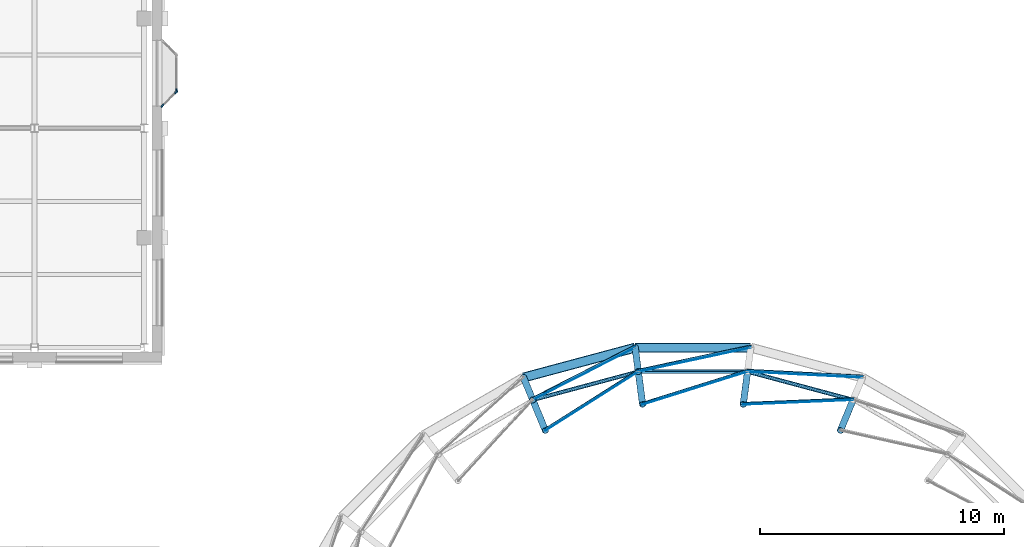
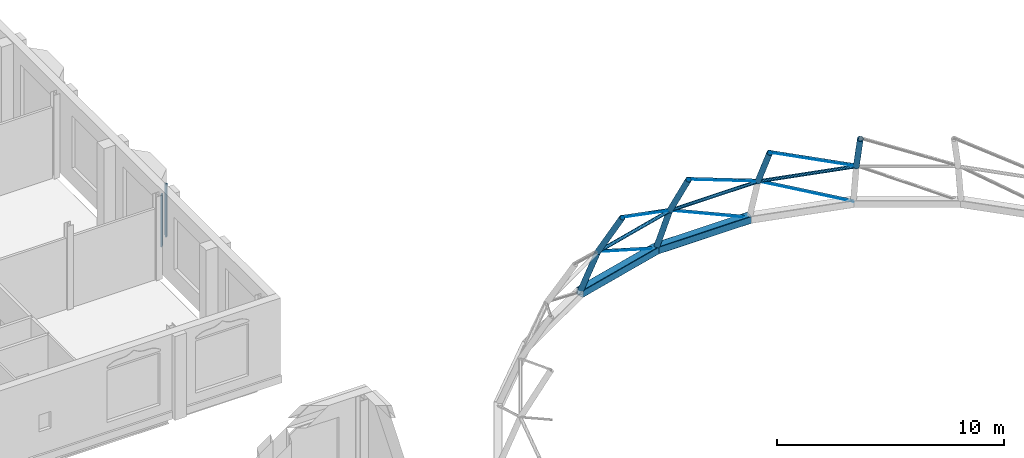
# One storey, part 10 of 59: 18 members, 8 beams, 2 elements without a shape of their own.
"""IFC4 building model written with IfcOpenShell, lengths in metres."""

from ifc_helpers import new_model, si_unit, direction, frame, origin, origin_2d, place, context, subcontext, project, spatial, rectangle, hollow_rectangle, circle, hollow_circle, extrude, material, layer, layer_set, material_profile, profile_set, type_object, element, aggregate, save


model = new_model("IFC4")

# Units and contexts
model_context = context("Model", 3, precision=1e-05, world=origin(), true_north=direction((0.0, 1.0)))
body_context = subcontext(model_context, "Body", "Model", "MODEL_VIEW")
ifc_project = project(units=[si_unit("LENGTHUNIT", "METRE"), si_unit("AREAUNIT", "SQUARE_METRE"), si_unit("VOLUMEUNIT", "CUBIC_METRE"), si_unit("PLANEANGLEUNIT", "RADIAN"), si_unit("MASSUNIT", "GRAM", prefix="KILO")], contexts=[model_context])

# Site, building, storey
site_placement = place(None, origin())
site = spatial("IfcSite", under=ifc_project, at=site_placement, CompositionType="ELEMENT")
building_placement = place(site_placement, origin())
building = spatial("IfcBuilding", under=site, at=building_placement, Name="Hortulan Conservatory and Botanical Research Centre", CompositionType="ELEMENT")
storey_placement = place(building_placement, frame((0.0, 0.0, 10.5)))
storey = spatial("IfcBuildingStorey", under=building, at=storey_placement, Name="L02", CompositionType="ELEMENT", Elevation=10.5)

# Curtain wall, member
ifc_material_1 = material(Name="Bronze-finished aluminium", Category="aluminium")
ifc_layer = layer(ifc_material_1, 0.10009765625)
ifc_layer_set = layer_set([ifc_layer], Name="Oriel Curtain Wall 1350 module")
curtain_wall_type = type_object("IfcCurtainWallType", Name="Oriel Curtain Wall 1350 module", PredefinedType="NOTDEFINED", material=ifc_layer_set)
curtain_wall_1_placement = place(storey_placement, origin())
curtain_wall_1 = element("IfcCurtainWall", 1, at=curtain_wall_1_placement, inside=storey, type_object=curtain_wall_type, Name="Oriel glazing", PredefinedType="NOTDEFINED")
ifc_material_profile_1 = material_profile(ifc_material_1, rectangle(XDim=0.06005859375, YDim=0.159912109375, at=origin_2d()), Name="Bronze Mullion 60x160")
ifc_profile_set_1 = profile_set([ifc_material_profile_1], Name="Bronze-finished aluminium")
member_type_1 = type_object("IfcMemberType", Name="Bronze Mullion 60x160", PredefinedType="MULLION", material=ifc_profile_set_1)
member_1_placement = place(storey_placement, frame((32.824951171875, 46.530029296875, 0.89990234375), z_axis=(0.0, 0.0, 1.0), x_axis=(1.0, 0.0, 0.0)))
member_1 = element("IfcMember", 2, at=member_1_placement, type_object=member_type_1, Name="CW2 mullion 2", PredefinedType="MULLION", context=body_context, shape_type="SweptSolid", body=[
    extrude(rectangle(XDim=0.06005859375, YDim=0.159912109375, at=origin_2d()), origin(), (0.0, 0.0, 1.0), 2.800048828125),
])
aggregate(curtain_wall_1, [member_1])

# Curtain wall, members
curtain_wall_2_placement = place(storey_placement, origin())
curtain_wall_2 = element("IfcCurtainWall", 3, at=curtain_wall_2_placement, inside=storey, type_object=curtain_wall_type, Name="Oriel glazing", PredefinedType="NOTDEFINED")
member_2_placement = place(storey_placement, frame((32.8037109375, 46.478759765625, 0.89990234375), z_axis=(0.0, 0.0, 1.0), x_axis=(0.707106781187, -0.707106781187, 0.0)))
member_2 = element("IfcMember", 4, at=member_2_placement, type_object=member_type_1, Name="CW2 mullion 1", PredefinedType="MULLION", context=body_context, shape_type="SweptSolid", body=[
    extrude(rectangle(XDim=0.06005859375, YDim=0.159912109375, at=origin_2d()), origin(), (0.0, 0.0, 1.0), 2.800048828125),
])
member_3_placement = place(storey_placement, frame((32.24609375, 45.921142578125, 0.89990234375), z_axis=(0.0, 0.0, 1.0), x_axis=(0.707106781187, -0.707106781187, 0.0)))
member_3 = element("IfcMember", 5, at=member_3_placement, type_object=member_type_1, Name="CW2 mullion 2", PredefinedType="MULLION", context=body_context, shape_type="SweptSolid", body=[
    extrude(rectangle(XDim=0.06005859375, YDim=0.159912109375, at=origin_2d()), origin(), (0.0, 0.0, 1.0), 2.800048828125),
])
aggregate(curtain_wall_2, [member_2, member_3])

# Members
ifc_material_2 = material(Name="Steel Grade 300PLUS (AS/NZS 3679.1, 280 MPa minimum yield)", Category="steel")
ifc_material_profile_2 = material_profile(ifc_material_2, circle(Radius=0.011962890625, at=origin_2d()), Name="24 dia rod")
ifc_profile_set_2 = profile_set([ifc_material_profile_2], Name="Steel Grade 300PLUS (AS/NZS 3679.1, 280 MPa minimum yield)")
member_type_2 = type_object("IfcMemberType", Name="Dome Diagonal Rod 24 dia rod", PredefinedType="BRACE", material=ifc_profile_set_2)
for number, where, z_axis, x_axis, name in (
    (6, (60.94775390625, 34.773193359375, 0.0), (-0.874940820745, 0.045149160701, 0.482120434624), (-0.051533963608, -0.998671242499, 0.0), "Dome diagonal rod row 1 panel 05"),
    (7, (56.36962890625, 36.0, 0.0), (-0.856803393002, -0.182868217021, 0.482127743388), (0.208729623286, -0.977973386326, 0.0), "Dome diagonal rod row 1 panel 06"),
):
    element("IfcMember", number, at=place(storey_placement, frame(where, z_axis=z_axis, x_axis=x_axis)), inside=storey, type_object=member_type_2, Name=name, PredefinedType="BRACE", context=body_context, shape_type="SweptSolid", body=[
        extrude(circle(Radius=0.011962890625, at=origin_2d()), origin(), (0.0, 0.0, 1.0), 5.38037109375),
    ])
member_4_placement = place(storey_placement, frame((51.63037109375, 36.0, 0.0), z_axis=(-0.780299916715, -0.39838537354, 0.482100751009), x_axis=(0.45471772236, -0.89063561178, 0.0)))
element("IfcMember", 8, at=member_4_placement, inside=storey, type_object=member_type_2, Name="Dome diagonal rod row 1 panel 07", PredefinedType="BRACE", context=body_context, shape_type="SweptSolid", body=[
    extrude(circle(Radius=0.011962890625, at=origin_2d()), origin(), (0.0, 0.0, 1.0), 5.380615234375),
])
member_5_placement = place(storey_placement, frame((60.568115234375, 33.8564453125, 2.593994140625), z_axis=(-0.880253471503, -0.036965399101, 0.473061713919), x_axis=(0.041957060227, -0.999119414833, 0.0)))
element("IfcMember", 9, at=member_5_placement, inside=storey, type_object=member_type_2, Name="Dome diagonal rod row 2 panel 05", PredefinedType="BRACE", context=body_context, shape_type="SweptSolid", body=[
    extrude(circle(Radius=0.011962890625, at=origin_2d()), origin(), (0.0, 0.0, 1.0), 5.11865234375),
])
for number, where, z_axis, x_axis, name in (
    (10, (56.240234375, 35.01611328125, 2.593994140625), (-0.840671198072, -0.263544505751, 0.473092200549), (0.2991380705, -0.954209837917, 0.0), "Dome diagonal rod row 2 panel 06"),
    (11, (51.759765625, 35.01611328125, 2.593994140625), (-0.743829104226, -0.472131619445, 0.473085613422), (0.535894209709, -0.844285139038, 0.0), "Dome diagonal rod row 2 panel 07"),
):
    element("IfcMember", number, at=place(storey_placement, frame(where, z_axis=z_axis, x_axis=x_axis)), inside=storey, type_object=member_type_2, Name=name, PredefinedType="BRACE", context=body_context, shape_type="SweptSolid", body=[
        extrude(circle(Radius=0.011962890625, at=origin_2d()), origin(), (0.0, 0.0, 1.0), 5.1181640625),
    ])
ifc_material_profile_3 = material_profile(ifc_material_1, rectangle(XDim=0.050048828125, YDim=0.050048828125, at=origin_2d()), Name="Square bar 50x50")
ifc_profile_set_3 = profile_set([ifc_material_profile_3], Name="Bronze-finished aluminium")
member_type_3 = type_object("IfcMemberType", Name="Dome Glazing Bar 50x50", PredefinedType="MEMBER", material=ifc_profile_set_3)
member_6_placement = place(storey_placement, frame((60.978515625, 34.847900390625, 0.024169921875), z_axis=(-0.874929953977, 0.045128821976, 0.482142059004), x_axis=(-0.051511448352, -0.998672404089, 0.0)))
element("IfcMember", 12, at=member_6_placement, inside=storey, type_object=member_type_3, Name="Dome glazing bar row 1 panel 05", PredefinedType="MEMBER", context=body_context, shape_type="SweptSolid", body=[
    extrude(rectangle(XDim=0.050048828125, YDim=0.050048828125, at=origin_2d()), origin(), (0.0, 0.0, 1.0), 5.404541015625),
])
member_7_placement = place(storey_placement, frame((56.380126953125, 36.079833984375, 0.024169921875), z_axis=(-0.856784274449, -0.182831845963, 0.482175510741), x_axis=(0.208694370752, -0.977980909638, 0.0)))
element("IfcMember", 13, at=member_7_placement, inside=storey, type_object=member_type_3, Name="Dome glazing bar row 1 panel 06", PredefinedType="MEMBER", context=body_context, shape_type="SweptSolid", body=[
    extrude(rectangle(XDim=0.050048828125, YDim=0.050048828125, at=origin_2d()), origin(), (0.0, 0.0, 1.0), 5.404052734375),
])
member_8_placement = place(storey_placement, frame((51.619873046875, 36.079833984375, 0.024169921875), z_axis=(-0.78029343557, -0.39834582961, 0.482143914655), x_axis=(0.454684914177, -0.890652361373, 0.0)))
element("IfcMember", 14, at=member_8_placement, inside=storey, type_object=member_type_3, Name="Dome glazing bar row 1 panel 07", PredefinedType="MEMBER", context=body_context, shape_type="SweptSolid", body=[
    extrude(rectangle(XDim=0.050048828125, YDim=0.050048828125, at=origin_2d()), origin(), (0.0, 0.0, 1.0), 5.404541015625),
])
for number, where, z_axis, x_axis, name in (
    (15, (60.595703125, 33.923583984375, 2.628173828125), (-0.880259821763, -0.037002072154, 0.473047030269), (0.041998309631, -0.999117681751, 0.0), "Dome glazing bar row 2 panel 05"),
    (16, (56.249755859375, 35.088134765625, 2.628173828125), (-0.840688855828, -0.263573222272, 0.4730448226), (0.29916202694, -0.954202327411, 0.0), "Dome glazing bar row 2 panel 06"),
    (17, (51.750244140625, 35.088134765625, 2.628173828125), (-0.74384363542, -0.472145960158, 0.473048452436), (0.535898349948, -0.844282511085, 0.0), "Dome glazing bar row 2 panel 07"),
):
    element("IfcMember", number, at=place(storey_placement, frame(where, z_axis=z_axis, x_axis=x_axis)), inside=storey, type_object=member_type_3, Name=name, PredefinedType="MEMBER", context=body_context, shape_type="SweptSolid", body=[
        extrude(rectangle(XDim=0.050048828125, YDim=0.050048828125, at=origin_2d()), origin(), (0.0, 0.0, 1.0), 5.139892578125),
    ])

# Beams
ifc_material_3 = material(Name="Steel Grade C350L0 (350 MPa, AS/NZS 1163)", Category="steel")
ifc_material_profile_4 = material_profile(ifc_material_3, hollow_circle(Radius=0.136474609375, WallThickness=0.00927734375, at=origin_2d()), Name="273.1x9.3CHS")
ifc_profile_set_4 = profile_set([ifc_material_profile_4], Name="Steel Grade C350L0 (350 MPa, AS/NZS 1163)")
beam_type_1 = type_object("IfcBeamType", Name="Dome Rib 273.1x9.3 CHS", PredefinedType="BEAM", material=ifc_profile_set_4)
for number, where, z_axis, x_axis, name in (
    (18, (60.568115234375, 33.8564453125, 2.593994140625), (-0.187496420729, -0.452523006993, 0.871818800185), (0.923839645741, -0.382779713358, 0.0), "Dome rib 05 segment 2"),
    (19, (56.240234375, 35.01611328125, 2.593994140625), (-0.063992159636, -0.485654782954, 0.871805273727), (0.991430458958, -0.130635542827, 0.0), "Dome rib 06 segment 2"),
    (20, (51.63037109375, 36.0, 0.0), (0.046589482013, -0.354255872662, 0.933987257328), (0.991462667241, 0.13039087187, 0.0), "Dome rib 07 segment 1"),
    (21, (51.759765625, 35.01611328125, 2.593994140625), (0.063992159636, -0.485654782954, 0.871805273727), (0.991430458958, 0.130635542827, 0.0), "Dome rib 07 segment 2"),
    (22, (47.05224609375, 34.773193359375, 0.0), (0.136693762642, -0.330086867344, 0.934000789754), (0.923911883582, 0.382605320631, 0.0), "Dome rib 08 segment 1"),
    (23, (47.431884765625, 33.8564453125, 2.593994140625), (0.187496420729, -0.452523006993, 0.871818800185), (0.923839645741, 0.382779713358, 0.0), "Dome rib 08 segment 2"),
):
    element("IfcBeam", number, at=place(storey_placement, frame(where, z_axis=z_axis, x_axis=x_axis)), inside=storey, type_object=beam_type_1, Name=name, PredefinedType="BEAM", context=body_context, shape_type="SweptSolid", body=[
        extrude(hollow_circle(Radius=0.136474609375, WallThickness=0.00927734375, at=origin_2d()), origin(), (0.0, 0.0, 1.0), 2.77734375),
    ])

# Members
ifc_material_profile_5 = material_profile(ifc_material_3, hollow_circle(Radius=0.084228515625, WallThickness=0.00634765625, at=origin_2d()), Name="168.3x6.4CHS")
ifc_profile_set_5 = profile_set([ifc_material_profile_5], Name="Steel Grade C350L0 (350 MPa, AS/NZS 1163)")
member_type_4 = type_object("IfcMemberType", Name="Dome Ring 168.3x6.4 CHS", PredefinedType="PURLIN", material=ifc_profile_set_5)
for number, where, z_axis, x_axis, name in (
    (24, (60.568115234375, 33.8564453125, 2.593994140625), (-0.965924945392, 0.258822332634, 0.0), (-0.258822332634, -0.965924945392, 0.0), "Dome ring 1 chord 05"),
    (25, (56.240234375, 35.01611328125, 2.593994140625), (-1.0, 0.0, 0.0), (0.0, -1.0, 0.0), "Dome ring 1 chord 06"),
    (26, (51.759765625, 35.01611328125, 2.593994140625), (-0.965924945392, -0.258822332634, 0.0), (0.258822332634, -0.965924945392, 0.0), "Dome ring 1 chord 07"),
):
    element("IfcMember", number, at=place(storey_placement, frame(where, z_axis=z_axis, x_axis=x_axis)), inside=storey, type_object=member_type_4, Name=name, PredefinedType="PURLIN", context=body_context, shape_type="SweptSolid", body=[
        extrude(hollow_circle(Radius=0.084228515625, WallThickness=0.00634765625, at=origin_2d()), origin(), (0.0, 0.0, 1.0), 4.48046875),
    ])

# Beams
ifc_material_4 = material(Name="Steel Grade C450L0 (450 MPa, AS/NZS 1163)", Category="steel")
ifc_material_profile_6 = material_profile(ifc_material_4, hollow_rectangle(XDim=0.39990234375, YDim=0.39990234375, WallThickness=0.01611328125, InnerFilletRadius=0.02392578125, OuterFilletRadius=0.0400390625, at=origin_2d()), Name="400x400x16SHS")
ifc_profile_set_6 = profile_set([ifc_material_profile_6], Name="Steel Grade C450L0 (450 MPa, AS/NZS 1163)")
beam_type_2 = type_object("IfcBeamType", Name="Dome Ring Beam 400x400x16 SHS", PredefinedType="BEAM", material=ifc_profile_set_6)
beam_1_placement = place(storey_placement, frame((56.36962890625, 36.0, 0.0), z_axis=(-1.0, 0.0, 0.0), x_axis=(0.0, -1.0, 0.0)))
element("IfcBeam", 27, at=beam_1_placement, inside=storey, type_object=beam_type_2, Name="Dome ring beam chord 06", PredefinedType="BEAM", context=body_context, shape_type="SweptSolid", body=[
    extrude(hollow_rectangle(XDim=0.39990234375, YDim=0.39990234375, WallThickness=0.01611328125, InnerFilletRadius=0.02392578125, OuterFilletRadius=0.0400390625, at=origin_2d()), origin(), (0.0, 0.0, 1.0), 4.7392578125),
])
beam_2_placement = place(storey_placement, frame((51.63037109375, 36.0, 0.0), z_axis=(-0.965920459439, -0.258839073629, 0.0), x_axis=(0.258839073629, -0.965920459439, 0.0)))
element("IfcBeam", 28, at=beam_2_placement, inside=storey, type_object=beam_type_2, Name="Dome ring beam chord 07", PredefinedType="BEAM", context=body_context, shape_type="SweptSolid", body=[
    extrude(hollow_rectangle(XDim=0.39990234375, YDim=0.39990234375, WallThickness=0.01611328125, InnerFilletRadius=0.02392578125, OuterFilletRadius=0.0400390625, at=origin_2d()), origin(), (0.0, 0.0, 1.0), 4.73974609375),
])

save(model, "model.ifc")
